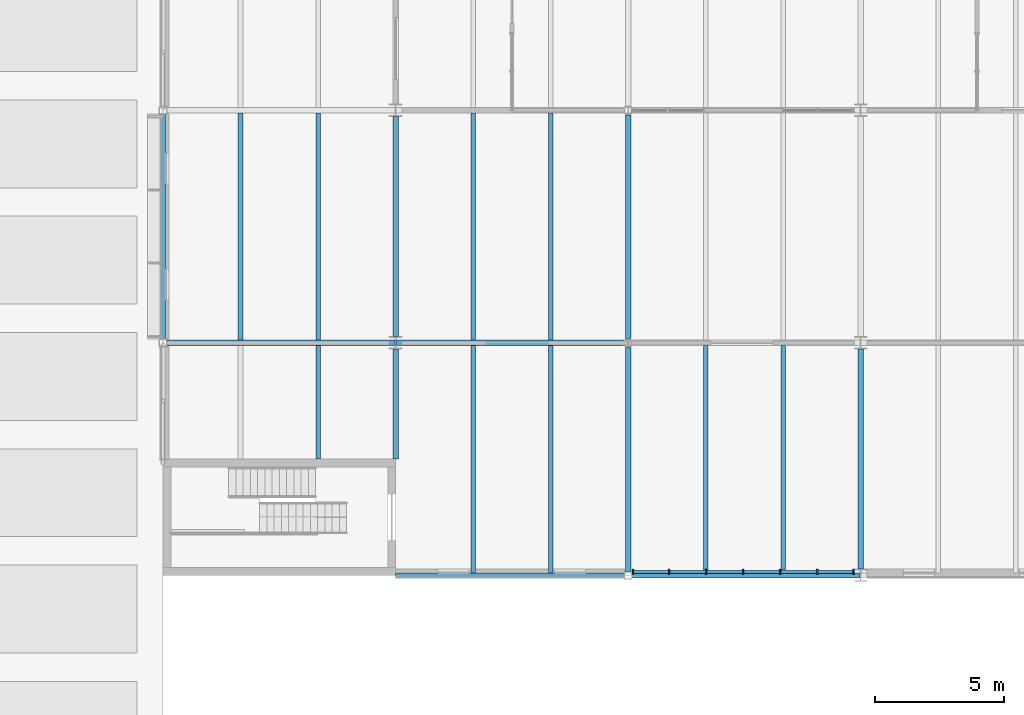
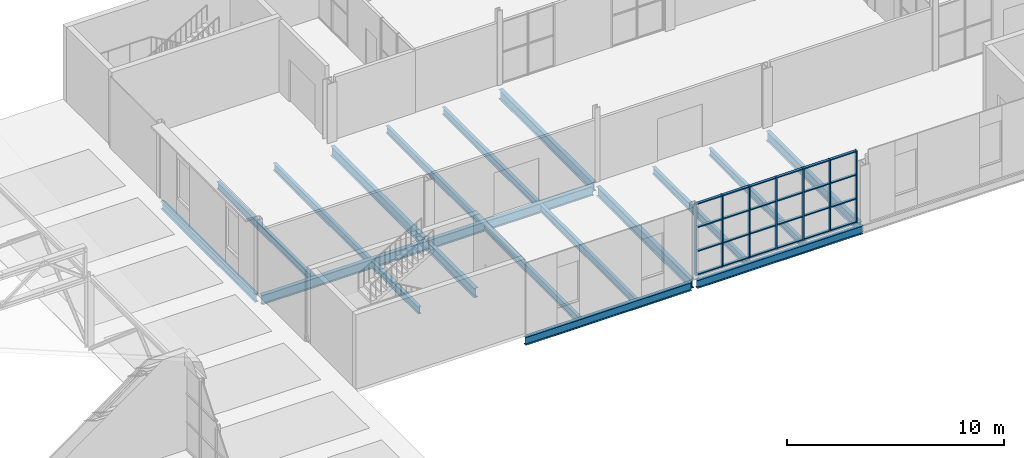
# One storey, part 12 of 61: 31 members, 19 beams, 1 element without a shape of its own.
"""IFC4 building model written with IfcOpenShell, lengths in metres."""

from ifc_helpers import new_model, si_unit, direction, frame, origin, origin_2d, place, context, subcontext, project, spatial, rectangle, i_section, extrude, material, layer, layer_set, material_profile, profile_set, type_object, element, aggregate, save


model = new_model("IFC4")

# Units and contexts
model_context = context("Model", 3, precision=1e-05, world=origin(), true_north=direction((0.0, 1.0)))
body_context = subcontext(model_context, "Body", "Model", "MODEL_VIEW")
ifc_project = project(units=[si_unit("LENGTHUNIT", "METRE"), si_unit("AREAUNIT", "SQUARE_METRE"), si_unit("VOLUMEUNIT", "CUBIC_METRE"), si_unit("PLANEANGLEUNIT", "RADIAN"), si_unit("MASSUNIT", "GRAM", prefix="KILO")], contexts=[model_context])

# Site, building, storey
site_placement = place(None, origin())
site = spatial("IfcSite", under=ifc_project, at=site_placement, CompositionType="ELEMENT")
building_placement = place(site_placement, origin())
building = spatial("IfcBuilding", under=site, at=building_placement, Name="Halyard Row Museum", CompositionType="ELEMENT")
storey_placement = place(building_placement, frame((0.0, 0.0, 9.199951171875)))
storey = spatial("IfcBuildingStorey", under=building, at=storey_placement, Name="L02", CompositionType="ELEMENT", Elevation=9.199951171875)

# Curtain wall, members
ifc_material_1 = material(Name="Double glazed unit, low-emissivity", Category="glass")
ifc_layer = layer(ifc_material_1, 0.179931640625)
ifc_layer_set = layer_set([ifc_layer], Name="Double glazed unit, low-emissivity")
curtain_wall_type = type_object("IfcCurtainWallType", Name="Curtain wall stick 180 deep", PredefinedType="NOTDEFINED", material=ifc_layer_set)
curtain_wall_placement = place(storey_placement, origin())
curtain_wall = element("IfcCurtainWall", 1, at=curtain_wall_placement, inside=storey, type_object=curtain_wall_type, Name="Curtain wall CW036", PredefinedType="NOTDEFINED")
ifc_material_2 = material(Name="Powder-coated aluminium section", Category="aluminium")
ifc_material_profile_1 = material_profile(ifc_material_2, rectangle(XDim=0.179931640625, YDim=0.06005859375, at=origin_2d()), Name="180x60 mullion")
ifc_profile_set_1 = profile_set([ifc_material_profile_1], Name="Powder-coated aluminium section")
member_type_1 = type_object("IfcMemberType", Name="Curtain wall mullion CM2 60 x 180", PredefinedType="MULLION", material=ifc_profile_set_1)
member_1_placement = place(storey_placement, frame((45.179931640625, 18.139892578125, 0.0), z_axis=(0.0, 0.0, 1.0), x_axis=(0.0, 1.0, 0.0)))
member_1 = element("IfcMember", 2, at=member_1_placement, type_object=member_type_1, Name="CW036 mullion 1", PredefinedType="MULLION", context=body_context, shape_type="SweptSolid", body=[
    extrude(rectangle(XDim=0.179931640625, YDim=0.06005859375, at=origin_2d()), origin(), (0.0, 0.0, 1.0), 4.03515625),
])
member_2_placement = place(storey_placement, frame((46.583251953125, 18.139892578125, 0.0), z_axis=(0.0, 0.0, 1.0), x_axis=(0.0, 1.0, 0.0)))
member_2 = element("IfcMember", 3, at=member_2_placement, type_object=member_type_1, Name="CW036 mullion 2", PredefinedType="MULLION", context=body_context, shape_type="SweptSolid", body=[
    extrude(rectangle(XDim=0.179931640625, YDim=0.06005859375, at=origin_2d()), origin(), (0.0, 0.0, 1.0), 4.03515625),
])
member_3_placement = place(storey_placement, frame((48.0166015625, 18.139892578125, 0.0), z_axis=(0.0, 0.0, 1.0), x_axis=(0.0, 1.0, 0.0)))
member_3 = element("IfcMember", 4, at=member_3_placement, type_object=member_type_1, Name="CW036 mullion 3", PredefinedType="MULLION", context=body_context, shape_type="SweptSolid", body=[
    extrude(rectangle(XDim=0.179931640625, YDim=0.06005859375, at=origin_2d()), origin(), (0.0, 0.0, 1.0), 4.03515625),
])
member_4_placement = place(storey_placement, frame((49.449951171875, 18.139892578125, 0.0), z_axis=(0.0, 0.0, 1.0), x_axis=(0.0, 1.0, 0.0)))
member_4 = element("IfcMember", 5, at=member_4_placement, type_object=member_type_1, Name="CW036 mullion 4", PredefinedType="MULLION", context=body_context, shape_type="SweptSolid", body=[
    extrude(rectangle(XDim=0.179931640625, YDim=0.06005859375, at=origin_2d()), origin(), (0.0, 0.0, 1.0), 4.03515625),
])
member_5_placement = place(storey_placement, frame((50.88330078125, 18.139892578125, 0.0), z_axis=(0.0, 0.0, 1.0), x_axis=(0.0, 1.0, 0.0)))
member_5 = element("IfcMember", 6, at=member_5_placement, type_object=member_type_1, Name="CW036 mullion 5", PredefinedType="MULLION", context=body_context, shape_type="SweptSolid", body=[
    extrude(rectangle(XDim=0.179931640625, YDim=0.06005859375, at=origin_2d()), origin(), (0.0, 0.0, 1.0), 4.03515625),
])
member_6_placement = place(storey_placement, frame((52.316650390625, 18.139892578125, 0.0), z_axis=(0.0, 0.0, 1.0), x_axis=(0.0, 1.0, 0.0)))
member_6 = element("IfcMember", 7, at=member_6_placement, type_object=member_type_1, Name="CW036 mullion 6", PredefinedType="MULLION", context=body_context, shape_type="SweptSolid", body=[
    extrude(rectangle(XDim=0.179931640625, YDim=0.06005859375, at=origin_2d()), origin(), (0.0, 0.0, 1.0), 4.03515625),
])
member_7_placement = place(storey_placement, frame((53.719970703125, 18.139892578125, 0.0), z_axis=(0.0, 0.0, 1.0), x_axis=(0.0, 1.0, 0.0)))
member_7 = element("IfcMember", 8, at=member_7_placement, type_object=member_type_1, Name="CW036 mullion 7", PredefinedType="MULLION", context=body_context, shape_type="SweptSolid", body=[
    extrude(rectangle(XDim=0.179931640625, YDim=0.06005859375, at=origin_2d()), origin(), (0.0, 0.0, 1.0), 4.03515625),
])
ifc_material_3 = material(Name="Powder-coated aluminium section", Category="aluminium")
ifc_material_profile_2 = material_profile(ifc_material_3, rectangle(XDim=0.139892578125, YDim=0.06005859375, at=origin_2d()), Name="140x60 transom")
ifc_profile_set_2 = profile_set([ifc_material_profile_2], Name="Powder-coated aluminium section")
member_type_2 = type_object("IfcMemberType", Name="Curtain wall transom CT2 60 x 140", PredefinedType="USERDEFINED", material=ifc_profile_set_2)
member_8_placement = place(storey_placement, frame((45.2099609375, 18.139892578125, 0.030029296875), z_axis=(1.0, 0.0, 0.0), x_axis=(0.0, 1.0, 0.0)))
member_8 = element("IfcMember", 9, at=member_8_placement, type_object=member_type_2, Name="CW036 transom 1.1", ObjectType="TRANSOM", PredefinedType="USERDEFINED", context=body_context, shape_type="SweptSolid", body=[
    extrude(rectangle(XDim=0.139892578125, YDim=0.06005859375, at=origin_2d()), origin(), (0.0, 0.0, 1.0), 1.34326171875),
])
member_9_placement = place(storey_placement, frame((45.2099609375, 18.139892578125, 1.344970703125), z_axis=(1.0, 0.0, 0.0), x_axis=(0.0, 1.0, 0.0)))
member_9 = element("IfcMember", 10, at=member_9_placement, type_object=member_type_2, Name="CW036 transom 1.2", ObjectType="TRANSOM", PredefinedType="USERDEFINED", context=body_context, shape_type="SweptSolid", body=[
    extrude(rectangle(XDim=0.139892578125, YDim=0.06005859375, at=origin_2d()), origin(), (0.0, 0.0, 1.0), 1.34326171875),
])
member_10_placement = place(storey_placement, frame((45.2099609375, 18.139892578125, 2.68994140625), z_axis=(1.0, 0.0, 0.0), x_axis=(0.0, 1.0, 0.0)))
member_10 = element("IfcMember", 11, at=member_10_placement, type_object=member_type_2, Name="CW036 transom 1.3", ObjectType="TRANSOM", PredefinedType="USERDEFINED", context=body_context, shape_type="SweptSolid", body=[
    extrude(rectangle(XDim=0.139892578125, YDim=0.06005859375, at=origin_2d()), origin(), (0.0, 0.0, 1.0), 1.34326171875),
])
member_11_placement = place(storey_placement, frame((45.2099609375, 18.139892578125, 4.005126953125), z_axis=(1.0, 0.0, 0.0), x_axis=(0.0, 1.0, 0.0)))
member_11 = element("IfcMember", 12, at=member_11_placement, type_object=member_type_2, Name="CW036 transom 1.4", ObjectType="TRANSOM", PredefinedType="USERDEFINED", context=body_context, shape_type="SweptSolid", body=[
    extrude(rectangle(XDim=0.139892578125, YDim=0.06005859375, at=origin_2d()), origin(), (0.0, 0.0, 1.0), 1.34326171875),
])
member_12_placement = place(storey_placement, frame((46.61328125, 18.139892578125, 0.030029296875), z_axis=(1.0, 0.0, 0.0), x_axis=(0.0, 1.0, 0.0)))
member_12 = element("IfcMember", 13, at=member_12_placement, type_object=member_type_2, Name="CW036 transom 2.1", ObjectType="TRANSOM", PredefinedType="USERDEFINED", context=body_context, shape_type="SweptSolid", body=[
    extrude(rectangle(XDim=0.139892578125, YDim=0.06005859375, at=origin_2d()), origin(), (0.0, 0.0, 1.0), 1.373291015625),
])
member_13_placement = place(storey_placement, frame((46.61328125, 18.139892578125, 1.344970703125), z_axis=(1.0, 0.0, 0.0), x_axis=(0.0, 1.0, 0.0)))
member_13 = element("IfcMember", 14, at=member_13_placement, type_object=member_type_2, Name="CW036 transom 2.2", ObjectType="TRANSOM", PredefinedType="USERDEFINED", context=body_context, shape_type="SweptSolid", body=[
    extrude(rectangle(XDim=0.139892578125, YDim=0.06005859375, at=origin_2d()), origin(), (0.0, 0.0, 1.0), 1.373291015625),
])
member_14_placement = place(storey_placement, frame((46.61328125, 18.139892578125, 2.68994140625), z_axis=(1.0, 0.0, 0.0), x_axis=(0.0, 1.0, 0.0)))
member_14 = element("IfcMember", 15, at=member_14_placement, type_object=member_type_2, Name="CW036 transom 2.3", ObjectType="TRANSOM", PredefinedType="USERDEFINED", context=body_context, shape_type="SweptSolid", body=[
    extrude(rectangle(XDim=0.139892578125, YDim=0.06005859375, at=origin_2d()), origin(), (0.0, 0.0, 1.0), 1.373291015625),
])
member_15_placement = place(storey_placement, frame((46.61328125, 18.139892578125, 4.005126953125), z_axis=(1.0, 0.0, 0.0), x_axis=(0.0, 1.0, 0.0)))
member_15 = element("IfcMember", 16, at=member_15_placement, type_object=member_type_2, Name="CW036 transom 2.4", ObjectType="TRANSOM", PredefinedType="USERDEFINED", context=body_context, shape_type="SweptSolid", body=[
    extrude(rectangle(XDim=0.139892578125, YDim=0.06005859375, at=origin_2d()), origin(), (0.0, 0.0, 1.0), 1.373291015625),
])
member_16_placement = place(storey_placement, frame((48.046630859375, 18.139892578125, 0.030029296875), z_axis=(1.0, 0.0, 0.0), x_axis=(0.0, 1.0, 0.0)))
member_16 = element("IfcMember", 17, at=member_16_placement, type_object=member_type_2, Name="CW036 transom 3.1", ObjectType="TRANSOM", PredefinedType="USERDEFINED", context=body_context, shape_type="SweptSolid", body=[
    extrude(rectangle(XDim=0.139892578125, YDim=0.06005859375, at=origin_2d()), origin(), (0.0, 0.0, 1.0), 1.373291015625),
])
member_17_placement = place(storey_placement, frame((48.046630859375, 18.139892578125, 1.344970703125), z_axis=(1.0, 0.0, 0.0), x_axis=(0.0, 1.0, 0.0)))
member_17 = element("IfcMember", 18, at=member_17_placement, type_object=member_type_2, Name="CW036 transom 3.2", ObjectType="TRANSOM", PredefinedType="USERDEFINED", context=body_context, shape_type="SweptSolid", body=[
    extrude(rectangle(XDim=0.139892578125, YDim=0.06005859375, at=origin_2d()), origin(), (0.0, 0.0, 1.0), 1.373291015625),
])
member_18_placement = place(storey_placement, frame((48.046630859375, 18.139892578125, 2.68994140625), z_axis=(1.0, 0.0, 0.0), x_axis=(0.0, 1.0, 0.0)))
member_18 = element("IfcMember", 19, at=member_18_placement, type_object=member_type_2, Name="CW036 transom 3.3", ObjectType="TRANSOM", PredefinedType="USERDEFINED", context=body_context, shape_type="SweptSolid", body=[
    extrude(rectangle(XDim=0.139892578125, YDim=0.06005859375, at=origin_2d()), origin(), (0.0, 0.0, 1.0), 1.373291015625),
])
member_19_placement = place(storey_placement, frame((48.046630859375, 18.139892578125, 4.005126953125), z_axis=(1.0, 0.0, 0.0), x_axis=(0.0, 1.0, 0.0)))
member_19 = element("IfcMember", 20, at=member_19_placement, type_object=member_type_2, Name="CW036 transom 3.4", ObjectType="TRANSOM", PredefinedType="USERDEFINED", context=body_context, shape_type="SweptSolid", body=[
    extrude(rectangle(XDim=0.139892578125, YDim=0.06005859375, at=origin_2d()), origin(), (0.0, 0.0, 1.0), 1.373291015625),
])
member_20_placement = place(storey_placement, frame((49.47998046875, 18.139892578125, 0.030029296875), z_axis=(1.0, 0.0, 0.0), x_axis=(0.0, 1.0, 0.0)))
member_20 = element("IfcMember", 21, at=member_20_placement, type_object=member_type_2, Name="CW036 transom 4.1", ObjectType="TRANSOM", PredefinedType="USERDEFINED", context=body_context, shape_type="SweptSolid", body=[
    extrude(rectangle(XDim=0.139892578125, YDim=0.06005859375, at=origin_2d()), origin(), (0.0, 0.0, 1.0), 1.373291015625),
])
member_21_placement = place(storey_placement, frame((49.47998046875, 18.139892578125, 1.344970703125), z_axis=(1.0, 0.0, 0.0), x_axis=(0.0, 1.0, 0.0)))
member_21 = element("IfcMember", 22, at=member_21_placement, type_object=member_type_2, Name="CW036 transom 4.2", ObjectType="TRANSOM", PredefinedType="USERDEFINED", context=body_context, shape_type="SweptSolid", body=[
    extrude(rectangle(XDim=0.139892578125, YDim=0.06005859375, at=origin_2d()), origin(), (0.0, 0.0, 1.0), 1.373291015625),
])
member_22_placement = place(storey_placement, frame((49.47998046875, 18.139892578125, 2.68994140625), z_axis=(1.0, 0.0, 0.0), x_axis=(0.0, 1.0, 0.0)))
member_22 = element("IfcMember", 23, at=member_22_placement, type_object=member_type_2, Name="CW036 transom 4.3", ObjectType="TRANSOM", PredefinedType="USERDEFINED", context=body_context, shape_type="SweptSolid", body=[
    extrude(rectangle(XDim=0.139892578125, YDim=0.06005859375, at=origin_2d()), origin(), (0.0, 0.0, 1.0), 1.373291015625),
])
member_23_placement = place(storey_placement, frame((49.47998046875, 18.139892578125, 4.005126953125), z_axis=(1.0, 0.0, 0.0), x_axis=(0.0, 1.0, 0.0)))
member_23 = element("IfcMember", 24, at=member_23_placement, type_object=member_type_2, Name="CW036 transom 4.4", ObjectType="TRANSOM", PredefinedType="USERDEFINED", context=body_context, shape_type="SweptSolid", body=[
    extrude(rectangle(XDim=0.139892578125, YDim=0.06005859375, at=origin_2d()), origin(), (0.0, 0.0, 1.0), 1.373291015625),
])
member_24_placement = place(storey_placement, frame((50.913330078125, 18.139892578125, 0.030029296875), z_axis=(1.0, 0.0, 0.0), x_axis=(0.0, 1.0, 0.0)))
member_24 = element("IfcMember", 25, at=member_24_placement, type_object=member_type_2, Name="CW036 transom 5.1", ObjectType="TRANSOM", PredefinedType="USERDEFINED", context=body_context, shape_type="SweptSolid", body=[
    extrude(rectangle(XDim=0.139892578125, YDim=0.06005859375, at=origin_2d()), origin(), (0.0, 0.0, 1.0), 1.373291015625),
])
member_25_placement = place(storey_placement, frame((50.913330078125, 18.139892578125, 1.344970703125), z_axis=(1.0, 0.0, 0.0), x_axis=(0.0, 1.0, 0.0)))
member_25 = element("IfcMember", 26, at=member_25_placement, type_object=member_type_2, Name="CW036 transom 5.2", ObjectType="TRANSOM", PredefinedType="USERDEFINED", context=body_context, shape_type="SweptSolid", body=[
    extrude(rectangle(XDim=0.139892578125, YDim=0.06005859375, at=origin_2d()), origin(), (0.0, 0.0, 1.0), 1.373291015625),
])
member_26_placement = place(storey_placement, frame((50.913330078125, 18.139892578125, 2.68994140625), z_axis=(1.0, 0.0, 0.0), x_axis=(0.0, 1.0, 0.0)))
member_26 = element("IfcMember", 27, at=member_26_placement, type_object=member_type_2, Name="CW036 transom 5.3", ObjectType="TRANSOM", PredefinedType="USERDEFINED", context=body_context, shape_type="SweptSolid", body=[
    extrude(rectangle(XDim=0.139892578125, YDim=0.06005859375, at=origin_2d()), origin(), (0.0, 0.0, 1.0), 1.373291015625),
])
member_27_placement = place(storey_placement, frame((50.913330078125, 18.139892578125, 4.005126953125), z_axis=(1.0, 0.0, 0.0), x_axis=(0.0, 1.0, 0.0)))
member_27 = element("IfcMember", 28, at=member_27_placement, type_object=member_type_2, Name="CW036 transom 5.4", ObjectType="TRANSOM", PredefinedType="USERDEFINED", context=body_context, shape_type="SweptSolid", body=[
    extrude(rectangle(XDim=0.139892578125, YDim=0.06005859375, at=origin_2d()), origin(), (0.0, 0.0, 1.0), 1.373291015625),
])
member_28_placement = place(storey_placement, frame((52.3466796875, 18.139892578125, 0.030029296875), z_axis=(1.0, 0.0, 0.0), x_axis=(0.0, 1.0, 0.0)))
member_28 = element("IfcMember", 29, at=member_28_placement, type_object=member_type_2, Name="CW036 transom 6.1", ObjectType="TRANSOM", PredefinedType="USERDEFINED", context=body_context, shape_type="SweptSolid", body=[
    extrude(rectangle(XDim=0.139892578125, YDim=0.06005859375, at=origin_2d()), origin(), (0.0, 0.0, 1.0), 1.34326171875),
])
member_29_placement = place(storey_placement, frame((52.3466796875, 18.139892578125, 1.344970703125), z_axis=(1.0, 0.0, 0.0), x_axis=(0.0, 1.0, 0.0)))
member_29 = element("IfcMember", 30, at=member_29_placement, type_object=member_type_2, Name="CW036 transom 6.2", ObjectType="TRANSOM", PredefinedType="USERDEFINED", context=body_context, shape_type="SweptSolid", body=[
    extrude(rectangle(XDim=0.139892578125, YDim=0.06005859375, at=origin_2d()), origin(), (0.0, 0.0, 1.0), 1.34326171875),
])
member_30_placement = place(storey_placement, frame((52.3466796875, 18.139892578125, 2.68994140625), z_axis=(1.0, 0.0, 0.0), x_axis=(0.0, 1.0, 0.0)))
member_30 = element("IfcMember", 31, at=member_30_placement, type_object=member_type_2, Name="CW036 transom 6.3", ObjectType="TRANSOM", PredefinedType="USERDEFINED", context=body_context, shape_type="SweptSolid", body=[
    extrude(rectangle(XDim=0.139892578125, YDim=0.06005859375, at=origin_2d()), origin(), (0.0, 0.0, 1.0), 1.34326171875),
])
member_31_placement = place(storey_placement, frame((52.3466796875, 18.139892578125, 4.005126953125), z_axis=(1.0, 0.0, 0.0), x_axis=(0.0, 1.0, 0.0)))
member_31 = element("IfcMember", 32, at=member_31_placement, type_object=member_type_2, Name="CW036 transom 6.4", ObjectType="TRANSOM", PredefinedType="USERDEFINED", context=body_context, shape_type="SweptSolid", body=[
    extrude(rectangle(XDim=0.139892578125, YDim=0.06005859375, at=origin_2d()), origin(), (0.0, 0.0, 1.0), 1.34326171875),
])
aggregate(curtain_wall, [member_1, member_2, member_3, member_4, member_5, member_6, member_7, member_8, member_9, member_10, member_11, member_12, member_13, member_14, member_15, member_16, member_17, member_18, member_19, member_20, member_21, member_22, member_23, member_24, member_25, member_26, member_27, member_28, member_29, member_30, member_31])

# Beams
ifc_material_4 = material(Name="Steel Grade 300", Category="steel")
ifc_material_profile_3 = material_profile(ifc_material_4, i_section(OverallWidth=0.18994140625, OverallDepth=0.45751953125, WebThickness=0.009033203125, FlangeThickness=0.014404296875, FilletRadius=0.011474609375, at=origin_2d()), Name="460UB74.6")
ifc_profile_set_3 = profile_set([ifc_material_profile_3], Name="Steel Grade 300")
beam_type_1 = type_object("IfcBeamType", Name="Edge beam 460UB74.6", PredefinedType="BEAM", material=ifc_profile_set_3)
beam_1_placement = place(storey_placement, frame((36.0, 18.0, -0.3935546875), z_axis=(1.0, 0.0, 0.0), x_axis=(0.0, 1.0, 0.0)))
element("IfcBeam", 33, at=beam_1_placement, inside=storey, type_object=beam_type_1, Name="Beam L02-012", PredefinedType="BEAM", context=body_context, shape_type="SweptSolid", body=[
    extrude(i_section(OverallWidth=0.18994140625, OverallDepth=0.45751953125, WebThickness=0.009033203125, FlangeThickness=0.014404296875, FilletRadius=0.011474609375, at=origin_2d()), origin(), (0.0, 0.0, 1.0), 8.85009765625),
])
beam_2_placement = place(storey_placement, frame((45.14990234375, 18.0, -0.3935546875), z_axis=(1.0, 0.0, 0.0), x_axis=(0.0, 1.0, 0.0)))
element("IfcBeam", 34, at=beam_2_placement, inside=storey, type_object=beam_type_1, Name="Beam L02-013", PredefinedType="BEAM", context=body_context, shape_type="SweptSolid", body=[
    extrude(i_section(OverallWidth=0.18994140625, OverallDepth=0.45751953125, WebThickness=0.009033203125, FlangeThickness=0.014404296875, FilletRadius=0.011474609375, at=origin_2d()), origin(), (0.0, 0.0, 1.0), 8.830078125),
])
beam_3_placement = place(storey_placement, frame((27.0, 27.14990234375, -0.3935546875), z_axis=(0.0, 1.0, 0.0), x_axis=(-1.0, 0.0, 0.0)))
element("IfcBeam", 35, at=beam_3_placement, inside=storey, type_object=beam_type_1, Name="Beam L02-050", PredefinedType="BEAM", context=body_context, shape_type="SweptSolid", body=[
    extrude(i_section(OverallWidth=0.18994140625, OverallDepth=0.45751953125, WebThickness=0.009033203125, FlangeThickness=0.014404296875, FilletRadius=0.011474609375, at=origin_2d()), origin(), (0.0, 0.0, 1.0), 8.7001953125),
])
ifc_material_5 = material(Name="Steel Grade 300", Category="steel")
ifc_material_profile_4 = material_profile(ifc_material_5, i_section(OverallWidth=0.208984375, OverallDepth=0.532958984375, WebThickness=0.01025390625, FlangeThickness=0.015625, FilletRadius=0.013916015625, at=origin_2d()), Name="530UB92.4")
ifc_profile_set_4 = profile_set([ifc_material_profile_4], Name="Steel Grade 300")
beam_type_2 = type_object("IfcBeamType", Name="Girder beam 530UB92.4", PredefinedType="BEAM", material=ifc_profile_set_4)
beam_4_placement = place(storey_placement, frame((27.14990234375, 27.0, -0.431396484375), z_axis=(1.0, 0.0, 0.0), x_axis=(0.0, 1.0, 0.0)))
element("IfcBeam", 36, at=beam_4_placement, inside=storey, type_object=beam_type_2, Name="Beam L02-017", PredefinedType="BEAM", context=body_context, shape_type="SweptSolid", body=[
    extrude(i_section(OverallWidth=0.208984375, OverallDepth=0.532958984375, WebThickness=0.01025390625, FlangeThickness=0.015625, FilletRadius=0.013916015625, at=origin_2d()), origin(), (0.0, 0.0, 1.0), 8.830078125),
])
beam_5_placement = place(storey_placement, frame((36.02001953125, 27.0, -0.431396484375), z_axis=(1.0, 0.0, 0.0), x_axis=(0.0, 1.0, 0.0)))
element("IfcBeam", 37, at=beam_5_placement, inside=storey, type_object=beam_type_2, Name="Beam L02-018", PredefinedType="BEAM", context=body_context, shape_type="SweptSolid", body=[
    extrude(i_section(OverallWidth=0.208984375, OverallDepth=0.532958984375, WebThickness=0.01025390625, FlangeThickness=0.015625, FilletRadius=0.013916015625, at=origin_2d()), origin(), (0.0, 0.0, 1.0), 8.804931640625),
])
beam_6_placement = place(storey_placement, frame((36.0, 22.5, -0.431396484375), z_axis=(0.0, 1.0, 0.0), x_axis=(-1.0, 0.0, 0.0)))
element("IfcBeam", 38, at=beam_6_placement, inside=storey, type_object=beam_type_2, Name="Beam L02-052", PredefinedType="BEAM", context=body_context, shape_type="SweptSolid", body=[
    extrude(i_section(OverallWidth=0.208984375, OverallDepth=0.532958984375, WebThickness=0.01025390625, FlangeThickness=0.015625, FilletRadius=0.013916015625, at=origin_2d()), origin(), (0.0, 0.0, 1.0), 4.260009765625),
])
beam_7_placement = place(storey_placement, frame((36.0, 27.239990234375, -0.431396484375), z_axis=(0.0, 1.0, 0.0), x_axis=(-1.0, 0.0, 0.0)))
element("IfcBeam", 39, at=beam_7_placement, inside=storey, type_object=beam_type_2, Name="Beam L02-053", PredefinedType="BEAM", context=body_context, shape_type="SweptSolid", body=[
    extrude(i_section(OverallWidth=0.208984375, OverallDepth=0.532958984375, WebThickness=0.01025390625, FlangeThickness=0.015625, FilletRadius=0.013916015625, at=origin_2d()), origin(), (0.0, 0.0, 1.0), 8.52001953125),
])
beam_8_placement = place(storey_placement, frame((45.0, 18.14990234375, -0.431396484375), z_axis=(0.0, 1.0, 0.0), x_axis=(-1.0, 0.0, 0.0)))
element("IfcBeam", 40, at=beam_8_placement, inside=storey, type_object=beam_type_2, Name="Beam L02-055", PredefinedType="BEAM", context=body_context, shape_type="SweptSolid", body=[
    extrude(i_section(OverallWidth=0.208984375, OverallDepth=0.532958984375, WebThickness=0.01025390625, FlangeThickness=0.015625, FilletRadius=0.013916015625, at=origin_2d()), origin(), (0.0, 0.0, 1.0), 8.675048828125),
])
beam_9_placement = place(storey_placement, frame((45.0, 27.175048828125, -0.431396484375), z_axis=(0.0, 1.0, 0.0), x_axis=(-1.0, 0.0, 0.0)))
element("IfcBeam", 41, at=beam_9_placement, inside=storey, type_object=beam_type_2, Name="Beam L02-056", PredefinedType="BEAM", context=body_context, shape_type="SweptSolid", body=[
    extrude(i_section(OverallWidth=0.208984375, OverallDepth=0.532958984375, WebThickness=0.01025390625, FlangeThickness=0.015625, FilletRadius=0.013916015625, at=origin_2d()), origin(), (0.0, 0.0, 1.0), 8.64990234375),
])
beam_10_placement = place(storey_placement, frame((54.0, 18.239990234375, -0.431396484375), z_axis=(0.0, 1.0, 0.0), x_axis=(-1.0, 0.0, 0.0)))
element("IfcBeam", 42, at=beam_10_placement, inside=storey, type_object=beam_type_2, Name="Beam L02-058", PredefinedType="BEAM", context=body_context, shape_type="SweptSolid", body=[
    extrude(i_section(OverallWidth=0.208984375, OverallDepth=0.532958984375, WebThickness=0.01025390625, FlangeThickness=0.015625, FilletRadius=0.013916015625, at=origin_2d()), origin(), (0.0, 0.0, 1.0), 8.52001953125),
])
ifc_material_6 = material(Name="Steel Grade 300", Category="steel")
ifc_material_profile_5 = material_profile(ifc_material_6, i_section(OverallWidth=0.177978515625, OverallDepth=0.406494140625, WebThickness=0.0078125, FlangeThickness=0.0126953125, FilletRadius=0.011474609375, at=origin_2d()), Name="410UB59.7")
ifc_profile_set_5 = profile_set([ifc_material_profile_5], Name="Steel Grade 300")
beam_type_3 = type_object("IfcBeamType", Name="Secondary beam 410UB59.7", PredefinedType="BEAM", material=ifc_profile_set_5)
for number, where, z_axis, x_axis, name in (
    (43, (39.0, 18.094970703125, -0.3681640625), (0.0, 1.0, 0.0), (-1.0, 0.0, 0.0), "Beam L02-103"),
    (44, (42.0, 18.094970703125, -0.3681640625), (0.0, 1.0, 0.0), (-1.0, 0.0, 0.0), "Beam L02-104"),
    (45, (48.0, 18.094970703125, -0.3681640625), (0.0, 1.0, 0.0), (-1.0, 0.0, 0.0), "Beam L02-105"),
    (46, (51.0, 18.094970703125, -0.3681640625), (0.0, 1.0, 0.0), (-1.0, 0.0, 0.0), "Beam L02-106"),
):
    element("IfcBeam", number, at=place(storey_placement, frame(where, z_axis=z_axis, x_axis=x_axis)), inside=storey, type_object=beam_type_3, Name=name, PredefinedType="BEAM", context=body_context, shape_type="SweptSolid", body=[
        extrude(i_section(OverallWidth=0.177978515625, OverallDepth=0.406494140625, WebThickness=0.0078125, FlangeThickness=0.0126953125, FilletRadius=0.011474609375, at=origin_2d()), origin(), (0.0, 0.0, 1.0), 8.800537109375),
    ])
beam_11_placement = place(storey_placement, frame((33.0, 22.5, -0.3681640625), z_axis=(0.0, 1.0, 0.0), x_axis=(-1.0, 0.0, 0.0)))
element("IfcBeam", 47, at=beam_11_placement, inside=storey, type_object=beam_type_3, Name="Beam L02-114", PredefinedType="BEAM", context=body_context, shape_type="SweptSolid", body=[
    extrude(i_section(OverallWidth=0.177978515625, OverallDepth=0.406494140625, WebThickness=0.0078125, FlangeThickness=0.0126953125, FilletRadius=0.011474609375, at=origin_2d()), origin(), (0.0, 0.0, 1.0), 4.3955078125),
])
for number, where, z_axis, x_axis, name in (
    (48, (30.0, 27.1044921875, -0.3681640625), (0.0, 1.0, 0.0), (-1.0, 0.0, 0.0), "Beam L02-117"),
    (49, (33.0, 27.1044921875, -0.3681640625), (0.0, 1.0, 0.0), (-1.0, 0.0, 0.0), "Beam L02-118"),
    (50, (39.0, 27.1044921875, -0.3681640625), (0.0, 1.0, 0.0), (-1.0, 0.0, 0.0), "Beam L02-119"),
    (51, (42.0, 27.1044921875, -0.3681640625), (0.0, 1.0, 0.0), (-1.0, 0.0, 0.0), "Beam L02-120"),
):
    element("IfcBeam", number, at=place(storey_placement, frame(where, z_axis=z_axis, x_axis=x_axis)), inside=storey, type_object=beam_type_3, Name=name, PredefinedType="BEAM", context=body_context, shape_type="SweptSolid", body=[
        extrude(i_section(OverallWidth=0.177978515625, OverallDepth=0.406494140625, WebThickness=0.0078125, FlangeThickness=0.0126953125, FilletRadius=0.011474609375, at=origin_2d()), origin(), (0.0, 0.0, 1.0), 8.791015625),
    ])

save(model, "model.ifc")
